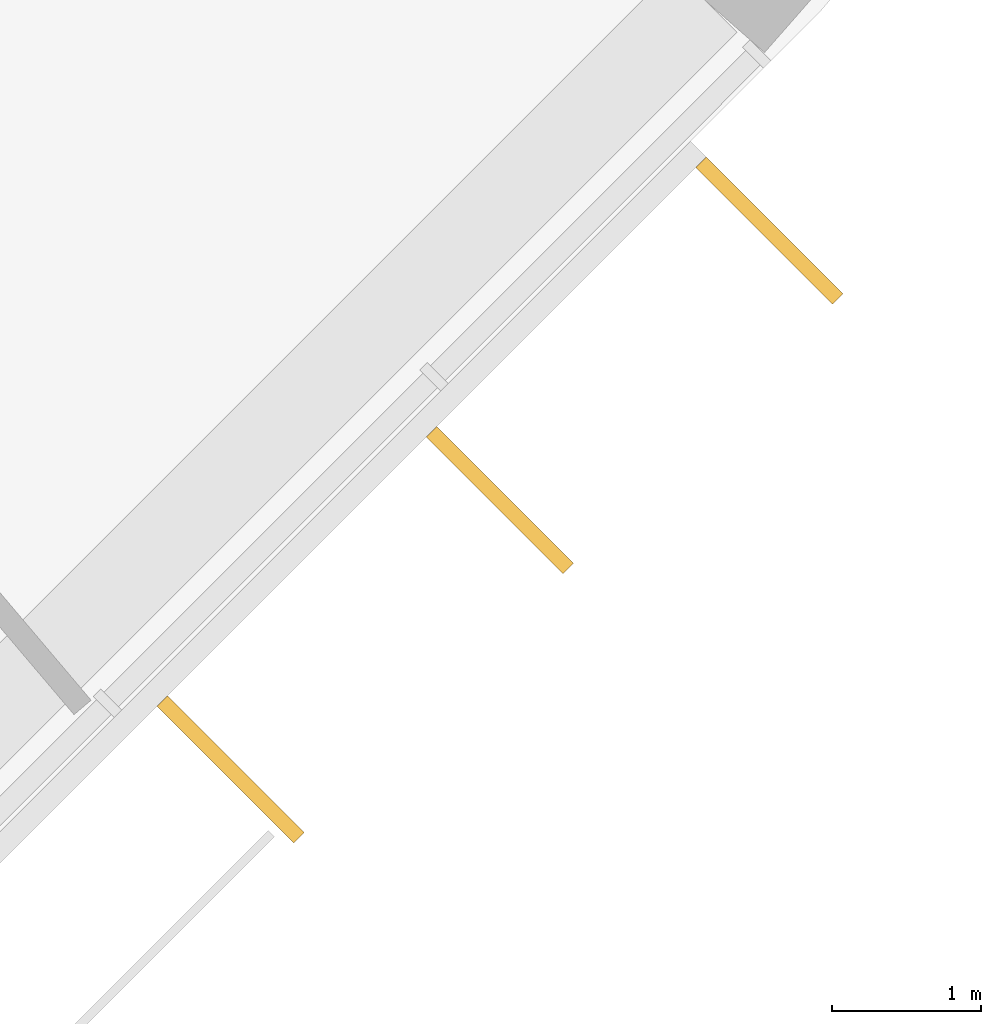
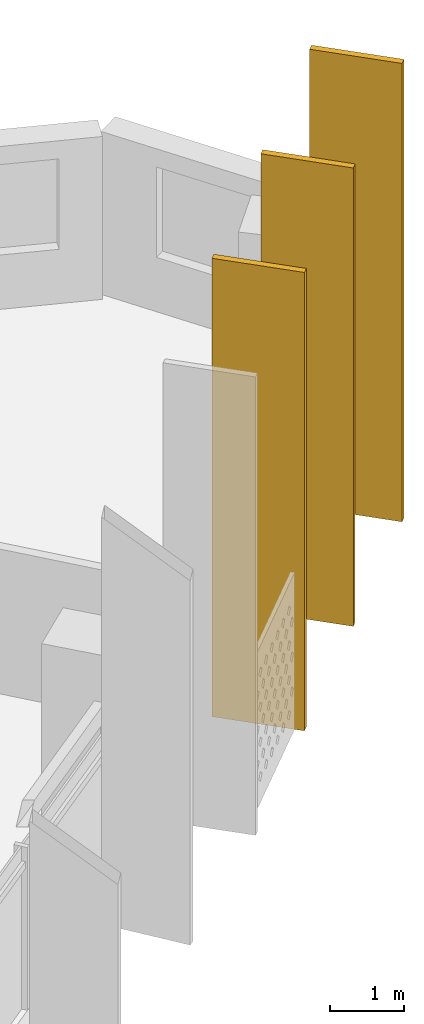
# One storey, part 28 of 28: 3 shading devices.
"""IFC4 building model written with IfcOpenShell, lengths in metres."""

from ifc_helpers import new_model, si_unit, direction, frame, origin, origin_2d, place, context, subcontext, project, spatial, rectangle, extrude, material, material_profile, profile_set, type_object, element, save


model = new_model("IFC4")

# Units and contexts
model_context = context("Model", 3, precision=1e-05, world=origin(), true_north=direction((0.0, 1.0)))
body_context = subcontext(model_context, "Body", "Model", "MODEL_VIEW")
ifc_project = project(units=[si_unit("LENGTHUNIT", "METRE"), si_unit("AREAUNIT", "SQUARE_METRE"), si_unit("VOLUMEUNIT", "CUBIC_METRE"), si_unit("PLANEANGLEUNIT", "RADIAN"), si_unit("MASSUNIT", "GRAM", prefix="KILO")], contexts=[model_context])

# Site, building, storey
site_placement = place(None, origin())
site = spatial("IfcSite", under=ifc_project, at=site_placement, CompositionType="ELEMENT")
building_placement = place(site_placement, origin())
building = spatial("IfcBuilding", under=site, at=building_placement, Name="Qamariyya Broadcast Tower", CompositionType="ELEMENT")
storey_placement = place(building_placement, frame((0.0, 0.0, 273.300048828125)))
storey = spatial("IfcBuildingStorey", under=building, at=storey_placement, Name="L66", CompositionType="ELEMENT", Elevation=273.300048828125)

# Shading devices
ifc_material = material(Name="Glazed terracotta", Category="masonry")
ifc_material_profile = material_profile(ifc_material, rectangle(XDim=1.300048828125, YDim=0.10009765625, at=origin_2d()))
ifc_profile_set = profile_set([ifc_material_profile], Name="Glazed terracotta")
shading_device_type = type_object("IfcShadingDeviceType", Name="Terracotta fin 100 x 1300", PredefinedType="USERDEFINED", material=ifc_profile_set)
for number, where, z_axis, x_axis, name in (
    (1, (54.943115234375, -56.754638671875, 0.0), (0.0, 0.0, 1.0), (0.707106781187, -0.707106781187, 0.0), "e-fin-L66-13-1"),
    (2, (56.754638671875, -54.943115234375, 0.0), (0.0, 0.0, 1.0), (0.707106781187, -0.707106781187, 0.0), "e-fin-L66-13-2"),
    (3, (58.56640625, -53.13134765625, 0.0), (0.0, 0.0, 1.0), (0.707106781187, -0.707106781187, 0.0), "e-fin-L66-13-3"),
):
    element("IfcShadingDevice", number, at=place(storey_placement, frame(where, z_axis=z_axis, x_axis=x_axis)), inside=storey, type_object=shading_device_type, Name=name, ObjectType="FIN", PredefinedType="USERDEFINED", context=body_context, shape_type="SweptSolid", body=[
        extrude(rectangle(XDim=1.300048828125, YDim=0.10009765625, at=origin_2d()), origin(), (0.0, 0.0, 1.0), 7.599853515625),
    ])

save(model, "model.ifc")
